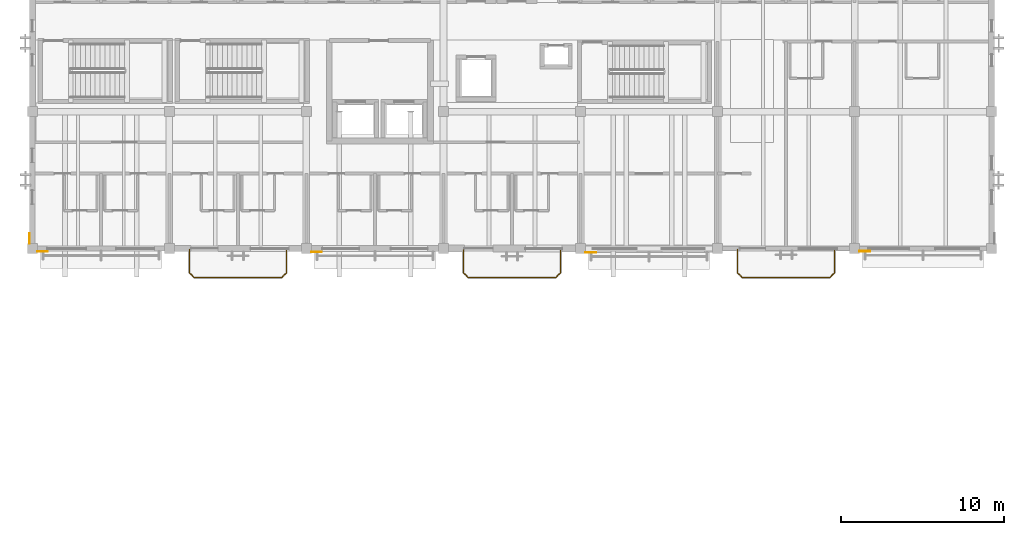
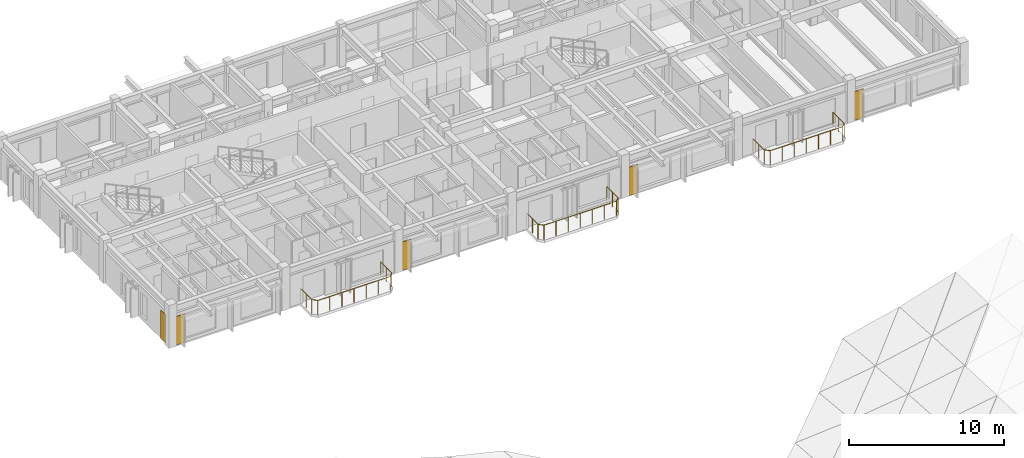
# One storey, part 26 of 31: 5 coverings, 3 railings.
"""IFC4 building model written with IfcOpenShell, lengths in metres."""

from ifc_helpers import new_model, si_unit, direction, frame, origin, origin_2d, place, context, subcontext, project, spatial, polyline, circle, outline, extrude, material, layer, layer_set, type_object, element, save


model = new_model("IFC4")

# Units and contexts
model_context = context("Model", 3, precision=1e-05, world=origin(), true_north=direction((0.0, 1.0)))
body_context = subcontext(model_context, "Body", "Model", "MODEL_VIEW")
ifc_project = project(units=[si_unit("LENGTHUNIT", "METRE"), si_unit("AREAUNIT", "SQUARE_METRE"), si_unit("VOLUMEUNIT", "CUBIC_METRE"), si_unit("PLANEANGLEUNIT", "RADIAN"), si_unit("MASSUNIT", "GRAM", prefix="KILO")], contexts=[model_context])

# Site, building, storey
site_placement = place(None, origin())
site = spatial("IfcSite", under=ifc_project, at=site_placement, CompositionType="ELEMENT")
building_placement = place(site_placement, origin())
building = spatial("IfcBuilding", under=site, at=building_placement, Name="Cumbredor Promenade Congress Hotel", CompositionType="ELEMENT")
storey_placement = place(building_placement, frame((0.0, 0.0, 31.919921875)))
storey = spatial("IfcBuildingStorey", under=building, at=storey_placement, Name="L09", CompositionType="ELEMENT", Elevation=31.919921875)

# Coverings
ifc_material_1 = material(Name="Precast concrete C40/50", Category="concrete")
ifc_layer_1 = layer(ifc_material_1, 0.044921875, Name="Precast concrete C40/50", Category="concrete")
ifc_layer_set_1 = layer_set([ifc_layer_1], Name="Precast concrete C40/50")
covering_type_1 = type_object("IfcCoveringType", Name="Board-Formed Architectural Cladding Panel 45mm", PredefinedType="CLADDING", material=ifc_layer_set_1)
covering_1_placement = place(storey_placement, origin())
element("IfcCovering", 1, at=covering_1_placement, inside=storey, type_object=covering_type_1, Name="L09 Facade Stone Cladding Pier 244", PredefinedType="CLADDING", context=body_context, shape_type="SweptSolid", body=[
    extrude(outline(polyline([(25.5009765625, 92.2099609375), (26.15087890625, 92.2099609375), (26.15087890625, 92.1650390625), (25.5009765625, 92.1650390625), (25.5009765625, 92.2099609375)])), origin(), (0.0, 0.0, 1.0), 2.25),
])
covering_2_placement = place(storey_placement, origin())
element("IfcCovering", 2, at=covering_2_placement, inside=storey, type_object=covering_type_1, Name="L09 Facade Stone Cladding Pier 246", PredefinedType="CLADDING", context=body_context, shape_type="SweptSolid", body=[
    extrude(outline(polyline([(59.10107421875, 92.260009765625), (59.7509765625, 92.260009765625), (59.7509765625, 92.215087890625), (59.10107421875, 92.215087890625), (59.10107421875, 92.260009765625)])), origin(), (0.0, 0.0, 1.0), 2.25),
])

# Railings
ifc_material_2 = material(Name="Brushed stainless steel", Category="steel")
railing_type_1 = type_object("IfcRailingType", Name="Sky Garden Glass-and-Steel Balustrade BAL-1150", PredefinedType="BALUSTRADE", material=ifc_material_2)
railing_1_placement = place(storey_placement, frame((34.830078125, 92.35009765625, 0.0)))
element("IfcRailing", 3, at=railing_1_placement, inside=storey, type_object=railing_type_1, Name="L09 Veranda Balcony Balustrade 058", PredefinedType="BALUSTRADE", context=body_context, shape_type="SweptSolid", body=[
    extrude(circle(Radius=0.02392578125, at=origin_2d()), frame((0.0, 0.0, 1.1259765625), z_axis=(0.0, -1.0, 0.0), x_axis=(1.0, 0.0, 0.0)), (0.0, 0.0, 1.0), 1.440185546875),
    extrude(circle(Radius=0.02392578125, at=origin_2d()), frame((0.0, -1.440185546875, 1.1259765625), z_axis=(0.707106781187, -0.707106781187, 0.0), x_axis=(0.707106781187, 0.707106781187, 0.0)), (0.0, 0.0, 1.0), 0.39599609375),
    extrude(circle(Radius=0.02392578125, at=origin_2d()), frame((0.280029296875, -1.72021484375, 1.1259765625), z_axis=(1.0, 0.0, 0.0), x_axis=(0.0, 1.0, 0.0)), (0.0, 0.0, 1.0), 5.3798828125),
    extrude(circle(Radius=0.02392578125, at=origin_2d()), frame((5.659912109375, -1.72021484375, 1.1259765625), z_axis=(0.707106781187, 0.707106781187, 0.0), x_axis=(-0.707106781187, 0.707106781187, 0.0)), (0.0, 0.0, 1.0), 0.39599609375),
    extrude(circle(Radius=0.02392578125, at=origin_2d()), frame((5.93994140625, -1.440185546875, 1.1259765625), z_axis=(0.0, 1.0, 0.0), x_axis=(-1.0, 0.0, 0.0)), (0.0, 0.0, 1.0), 1.440185546875),
    extrude(circle(Radius=0.02099609375, at=origin_2d()), origin(), (0.0, 0.0, 1.0), 1.101806640625),
    extrude(circle(Radius=0.02099609375, at=origin_2d()), frame((0.0, -0.72021484375, 0.0)), (0.0, 0.0, 1.0), 1.101806640625),
    extrude(circle(Radius=0.02099609375, at=origin_2d()), frame((0.0, -1.440185546875, 0.0)), (0.0, 0.0, 1.0), 1.101806640625),
    extrude(circle(Radius=0.02099609375, at=origin_2d()), frame((0.280029296875, -1.72021484375, 0.0)), (0.0, 0.0, 1.0), 1.101806640625),
    extrude(circle(Radius=0.02099609375, at=origin_2d()), frame((1.1767578125, -1.72021484375, 0.0)), (0.0, 0.0, 1.0), 1.101806640625),
    extrude(circle(Radius=0.02099609375, at=origin_2d()), frame((2.0732421875, -1.72021484375, 0.0)), (0.0, 0.0, 1.0), 1.101806640625),
    extrude(circle(Radius=0.02099609375, at=origin_2d()), frame((2.969970703125, -1.72021484375, 0.0)), (0.0, 0.0, 1.0), 1.101806640625),
    extrude(circle(Radius=0.02099609375, at=origin_2d()), frame((3.86669921875, -1.72021484375, 0.0)), (0.0, 0.0, 1.0), 1.101806640625),
    extrude(circle(Radius=0.02099609375, at=origin_2d()), frame((4.76318359375, -1.72021484375, 0.0)), (0.0, 0.0, 1.0), 1.101806640625),
    extrude(circle(Radius=0.02099609375, at=origin_2d()), frame((5.659912109375, -1.72021484375, 0.0)), (0.0, 0.0, 1.0), 1.101806640625),
    extrude(circle(Radius=0.02099609375, at=origin_2d()), frame((5.93994140625, -1.440185546875, 0.0)), (0.0, 0.0, 1.0), 1.101806640625),
    extrude(circle(Radius=0.02099609375, at=origin_2d()), frame((5.93994140625, -0.72021484375, 0.0)), (0.0, 0.0, 1.0), 1.101806640625),
    extrude(circle(Radius=0.02099609375, at=origin_2d()), frame((5.93994140625, 0.0, 0.0)), (0.0, 0.0, 1.0), 1.101806640625),
])
railing_type_2 = type_object("IfcRailingType", Name="Terrace Perimeter Balustrade BAL-1120", PredefinedType="BALUSTRADE", material=ifc_material_2)
railing_2_placement = place(storey_placement, frame((18.030029296875, 92.35009765625, 0.0)))
element("IfcRailing", 4, at=railing_2_placement, inside=storey, type_object=railing_type_2, Name="L09 Veranda Balcony Balustrade 057", PredefinedType="BALUSTRADE", context=body_context, shape_type="SweptSolid", body=[
    extrude(circle(Radius=0.02392578125, at=origin_2d()), frame((0.0, 0.0, 1.09619140625), z_axis=(0.0, -1.0, 0.0), x_axis=(1.0, 0.0, 0.0)), (0.0, 0.0, 1.0), 1.440185546875),
    extrude(circle(Radius=0.02392578125, at=origin_2d()), frame((0.0, -1.440185546875, 1.09619140625), z_axis=(0.707106781187, -0.707106781187, 0.0), x_axis=(0.707106781187, 0.707106781187, 0.0)), (0.0, 0.0, 1.0), 0.39599609375),
    extrude(circle(Radius=0.02392578125, at=origin_2d()), frame((0.280029296875, -1.72021484375, 1.09619140625), z_axis=(1.0, 0.0, 0.0), x_axis=(0.0, 1.0, 0.0)), (0.0, 0.0, 1.0), 5.3798828125),
    extrude(circle(Radius=0.02392578125, at=origin_2d()), frame((5.659912109375, -1.72021484375, 1.09619140625), z_axis=(0.707106781187, 0.707106781187, 0.0), x_axis=(-0.707106781187, 0.707106781187, 0.0)), (0.0, 0.0, 1.0), 0.39599609375),
    extrude(circle(Radius=0.02392578125, at=origin_2d()), frame((5.93994140625, -1.440185546875, 1.09619140625), z_axis=(0.0, 1.0, 0.0), x_axis=(-1.0, 0.0, 0.0)), (0.0, 0.0, 1.0), 1.440185546875),
    extrude(circle(Radius=0.02099609375, at=origin_2d()), origin(), (0.0, 0.0, 1.0), 1.072021484375),
    extrude(circle(Radius=0.02099609375, at=origin_2d()), frame((0.0, -0.72021484375, 0.0)), (0.0, 0.0, 1.0), 1.072021484375),
    extrude(circle(Radius=0.02099609375, at=origin_2d()), frame((0.0, -1.440185546875, 0.0)), (0.0, 0.0, 1.0), 1.072021484375),
    extrude(circle(Radius=0.02099609375, at=origin_2d()), frame((0.280029296875, -1.72021484375, 0.0)), (0.0, 0.0, 1.0), 1.072021484375),
    extrude(circle(Radius=0.02099609375, at=origin_2d()), frame((1.1767578125, -1.72021484375, 0.0)), (0.0, 0.0, 1.0), 1.072021484375),
    extrude(circle(Radius=0.02099609375, at=origin_2d()), frame((2.0732421875, -1.72021484375, 0.0)), (0.0, 0.0, 1.0), 1.072021484375),
    extrude(circle(Radius=0.02099609375, at=origin_2d()), frame((2.969970703125, -1.72021484375, 0.0)), (0.0, 0.0, 1.0), 1.072021484375),
    extrude(circle(Radius=0.02099609375, at=origin_2d()), frame((3.86669921875, -1.72021484375, 0.0)), (0.0, 0.0, 1.0), 1.072021484375),
    extrude(circle(Radius=0.02099609375, at=origin_2d()), frame((4.76318359375, -1.72021484375, 0.0)), (0.0, 0.0, 1.0), 1.072021484375),
    extrude(circle(Radius=0.02099609375, at=origin_2d()), frame((5.659912109375, -1.72021484375, 0.0)), (0.0, 0.0, 1.0), 1.072021484375),
    extrude(circle(Radius=0.02099609375, at=origin_2d()), frame((5.93994140625, -1.440185546875, 0.0)), (0.0, 0.0, 1.0), 1.072021484375),
    extrude(circle(Radius=0.02099609375, at=origin_2d()), frame((5.93994140625, -0.72021484375, 0.0)), (0.0, 0.0, 1.0), 1.072021484375),
    extrude(circle(Radius=0.02099609375, at=origin_2d()), frame((5.93994140625, 0.0, 0.0)), (0.0, 0.0, 1.0), 1.072021484375),
])
railing_3_placement = place(storey_placement, frame((51.6298828125, 92.35009765625, 0.0)))
element("IfcRailing", 5, at=railing_3_placement, inside=storey, type_object=railing_type_2, Name="L09 Veranda Balcony Balustrade 059", PredefinedType="BALUSTRADE", context=body_context, shape_type="SweptSolid", body=[
    extrude(circle(Radius=0.02392578125, at=origin_2d()), frame((0.0, 0.0, 1.09619140625), z_axis=(0.0, -1.0, 0.0), x_axis=(1.0, 0.0, 0.0)), (0.0, 0.0, 1.0), 1.440185546875),
    extrude(circle(Radius=0.02392578125, at=origin_2d()), frame((0.0, -1.440185546875, 1.09619140625), z_axis=(0.707106781187, -0.707106781187, 0.0), x_axis=(0.707106781187, 0.707106781187, 0.0)), (0.0, 0.0, 1.0), 0.39599609375),
    extrude(circle(Radius=0.02392578125, at=origin_2d()), frame((0.280029296875, -1.72021484375, 1.09619140625), z_axis=(1.0, 0.0, 0.0), x_axis=(0.0, 1.0, 0.0)), (0.0, 0.0, 1.0), 5.380126953125),
    extrude(circle(Radius=0.02392578125, at=origin_2d()), frame((5.66015625, -1.72021484375, 1.09619140625), z_axis=(0.707106781187, 0.707106781187, 0.0), x_axis=(-0.707106781187, 0.707106781187, 0.0)), (0.0, 0.0, 1.0), 0.39599609375),
    extrude(circle(Radius=0.02392578125, at=origin_2d()), frame((5.940185546875, -1.440185546875, 1.09619140625), z_axis=(0.0, 1.0, 0.0), x_axis=(-1.0, 0.0, 0.0)), (0.0, 0.0, 1.0), 1.440185546875),
    extrude(circle(Radius=0.02099609375, at=origin_2d()), origin(), (0.0, 0.0, 1.0), 1.072021484375),
    extrude(circle(Radius=0.02099609375, at=origin_2d()), frame((0.0, -0.72021484375, 0.0)), (0.0, 0.0, 1.0), 1.072021484375),
    extrude(circle(Radius=0.02099609375, at=origin_2d()), frame((0.0, -1.440185546875, 0.0)), (0.0, 0.0, 1.0), 1.072021484375),
    extrude(circle(Radius=0.02099609375, at=origin_2d()), frame((0.280029296875, -1.72021484375, 0.0)), (0.0, 0.0, 1.0), 1.072021484375),
    extrude(circle(Radius=0.02099609375, at=origin_2d()), frame((1.1767578125, -1.72021484375, 0.0)), (0.0, 0.0, 1.0), 1.072021484375),
    extrude(circle(Radius=0.02099609375, at=origin_2d()), frame((2.073486328125, -1.72021484375, 0.0)), (0.0, 0.0, 1.0), 1.072021484375),
    extrude(circle(Radius=0.02099609375, at=origin_2d()), frame((2.97021484375, -1.72021484375, 0.0)), (0.0, 0.0, 1.0), 1.072021484375),
    extrude(circle(Radius=0.02099609375, at=origin_2d()), frame((3.86669921875, -1.72021484375, 0.0)), (0.0, 0.0, 1.0), 1.072021484375),
    extrude(circle(Radius=0.02099609375, at=origin_2d()), frame((4.763427734375, -1.72021484375, 0.0)), (0.0, 0.0, 1.0), 1.072021484375),
    extrude(circle(Radius=0.02099609375, at=origin_2d()), frame((5.66015625, -1.72021484375, 0.0)), (0.0, 0.0, 1.0), 1.072021484375),
    extrude(circle(Radius=0.02099609375, at=origin_2d()), frame((5.940185546875, -1.440185546875, 0.0)), (0.0, 0.0, 1.0), 1.072021484375),
    extrude(circle(Radius=0.02099609375, at=origin_2d()), frame((5.940185546875, -0.72021484375, 0.0)), (0.0, 0.0, 1.0), 1.072021484375),
    extrude(circle(Radius=0.02099609375, at=origin_2d()), frame((5.940185546875, 0.0, 0.0)), (0.0, 0.0, 1.0), 1.072021484375),
])

# Coverings
ifc_material_3 = material(Name="Volcanic andesite ashlar cladding", Category="masonry")
ifc_layer_2 = layer(ifc_material_3, 0.034912109375, Name="Volcanic andesite ashlar cladding", Category="masonry")
ifc_layer_set_2 = layer_set([ifc_layer_2], Name="Volcanic andesite ashlar cladding")
covering_type_2 = type_object("IfcCoveringType", Name="Volcanic Andesite Ashlar Rainscreen Cladding 35mm", PredefinedType="CLADDING", material=ifc_layer_set_2)
covering_3_placement = place(storey_placement, origin())
element("IfcCovering", 6, at=covering_3_placement, inside=storey, type_object=covering_type_2, Name="L09 Facade Stone Cladding Pier 243", PredefinedType="CLADDING", context=body_context, shape_type="SweptSolid", body=[
    extrude(outline(polyline([(8.700927734375, 92.237548828125), (9.35107421875, 92.237548828125), (9.35107421875, 92.202392578125), (8.700927734375, 92.202392578125), (8.700927734375, 92.237548828125)])), origin(), (0.0, 0.0, 1.0), 2.25),
])
covering_4_placement = place(storey_placement, origin())
element("IfcCovering", 7, at=covering_4_placement, inside=storey, type_object=covering_type_2, Name="L09 Facade Stone Cladding Pier 245", PredefinedType="CLADDING", context=body_context, shape_type="SweptSolid", body=[
    extrude(outline(polyline([(42.301025390625, 92.175048828125), (42.950927734375, 92.175048828125), (42.950927734375, 92.139892578125), (42.301025390625, 92.139892578125), (42.301025390625, 92.175048828125)])), origin(), (0.0, 0.0, 1.0), 2.25),
])
covering_5_placement = place(storey_placement, origin())
element("IfcCovering", 8, at=covering_5_placement, inside=storey, type_object=covering_type_2, Name="L09 Facade Stone Cladding Pier 251", PredefinedType="CLADDING", context=body_context, shape_type="SweptSolid", body=[
    extrude(outline(polyline([(8.237548828125, 92.700927734375), (8.237548828125, 93.35107421875), (8.202392578125, 93.35107421875), (8.202392578125, 92.700927734375), (8.237548828125, 92.700927734375)])), origin(), (0.0, 0.0, 1.0), 2.25),
])

save(model, "model.ifc")
